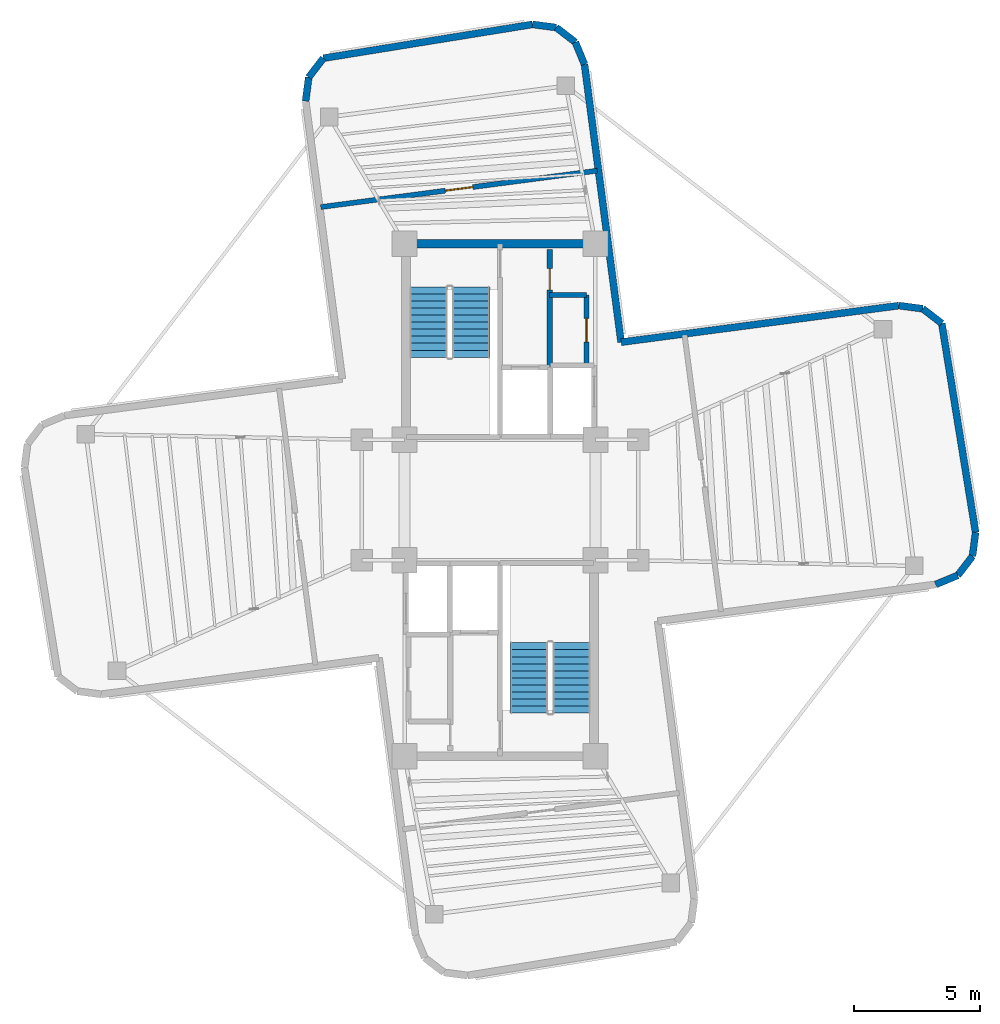
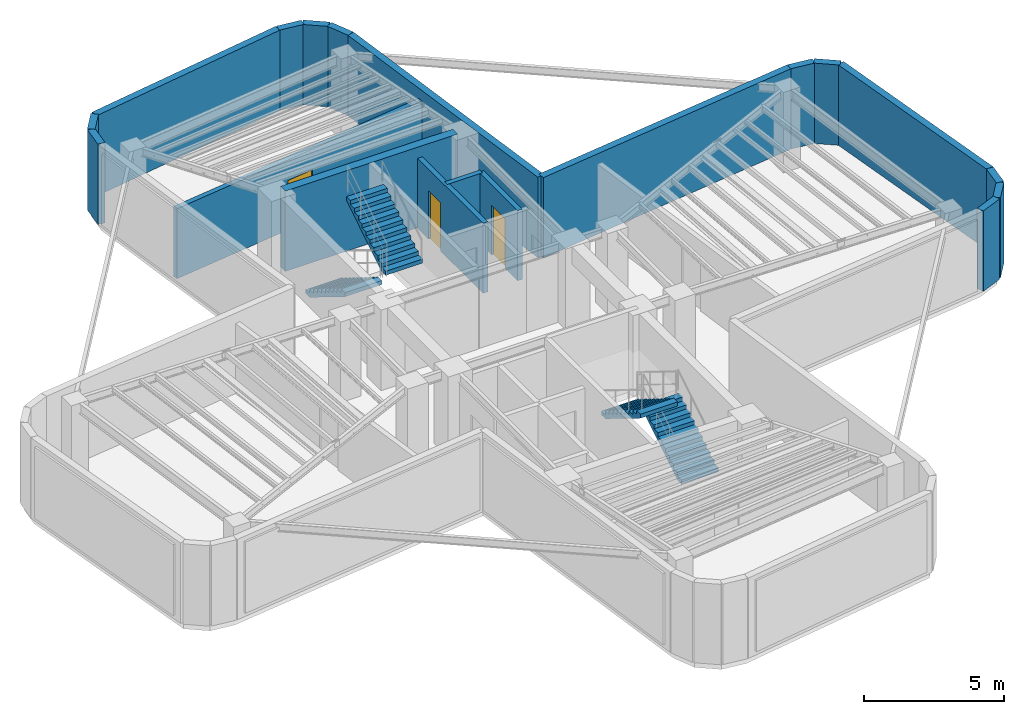
# One storey, part 5 of 6: 19 walls, 4 stair flights, 3 doors, 3 openings, 2 elements without a shape of their own.
"""IFC4 building model written with IfcOpenShell, lengths in metres."""

import ifcopenshell
import ifcopenshell.guid

model = None  # the IFC model being written
_history = None  # IfcOwnerHistory: only IFC2X3 demands one
_inside = {}  # id of a spatial element -> (the spatial element, [elements in it])
_under = {}  # id of a project, library or spatial element -> (it, [spatial elements below it])
_declared = {}  # id of a project -> (the project, [libraries it declares])
_typed = {}  # id of a type object -> (the type object, [elements of that type])
_made_of = {}  # id of a material, layer set ... -> (it, [elements and type objects made of it])


def new_model(schema):
    """Start an empty IFC model of exactly this schema.

    Asked for "IFC4X3", IfcOpenShell would pick the latest addendum, in which some entities
    have other attributes; the version numbers below select the first issue.
    IFC2X3 requires an IfcOwnerHistory on every rooted entity: one is made here for all.
    """
    global model, _history
    if schema == "IFC4X3":
        model = ifcopenshell.file(schema_version=(4, 3, 0, 0))
    else:
        model = ifcopenshell.file(schema=schema)
    _inside.clear()
    _under.clear()
    _declared.clear()
    _typed.clear()
    _made_of.clear()
    _history = None
    if model.schema == "IFC2X3":
        org = make("IfcOrganization", Name="unknown")
        user = make(
            "IfcPersonAndOrganization",
            ThePerson=make("IfcPerson", FamilyName="unknown"),
            TheOrganization=org,
        )
        app = make(
            "IfcApplication",
            ApplicationDeveloper=org,
            Version="unknown",
            ApplicationFullName="unknown",
            ApplicationIdentifier="unknown",
        )
        _history = make(
            "IfcOwnerHistory",
            OwningUser=user,
            OwningApplication=app,
            ChangeAction="ADDED",
            CreationDate=0,
        )
    return model


def make(cls, **values):
    """One entity of the class cls with the attributes given. An attribute that is None is left unset."""
    return model.create_entity(
        cls, **{name: value for name, value in values.items() if value is not None}
    )


def rooted(cls, **values):
    """An entity with a GlobalId (a new one), such as an element, a storey or a relation."""
    return make(cls, GlobalId=ifcopenshell.guid.new(), OwnerHistory=_history, **values)


def si_unit(unit_type, name, prefix=None):
    """IfcSIUnit, for example si_unit("LENGTHUNIT", "METRE", prefix="MILLI")."""
    return make("IfcSIUnit", UnitType=unit_type, Prefix=prefix, Name=name)


def assignment(units):
    """IfcUnitAssignment: the units of a project."""
    return None if units is None else make("IfcUnitAssignment", Units=units)


def point(xyz):
    """IfcCartesianPoint."""
    return None if xyz is None else make("IfcCartesianPoint", Coordinates=xyz)


def direction(xyz):
    """IfcDirection."""
    return None if xyz is None else make("IfcDirection", DirectionRatios=xyz)


def frame(location, z_axis=None, x_axis=None):
    """IfcAxis2Placement3D, a coordinate frame: its origin and axes. An axis left out is left unset."""
    return make(
        "IfcAxis2Placement3D",
        Location=point(location),
        Axis=direction(z_axis),
        RefDirection=direction(x_axis),
    )


def frame_2d(location, x_axis=None):
    """IfcAxis2Placement2D, a coordinate frame in the plane: its origin and x axis."""
    return make(
        "IfcAxis2Placement2D", Location=point(location), RefDirection=direction(x_axis)
    )


def origin():
    """The frame at (0, 0, 0) with its axes left unset."""
    return frame((0.0, 0.0, 0.0))


def origin_2d():
    """The frame at (0, 0) in the plane with its x axis left unset."""
    return frame_2d((0.0, 0.0))


def place(relative_to, where):
    """IfcLocalPlacement: puts the frame where relative to a parent placement (None: the world)."""
    return make(
        "IfcLocalPlacement", PlacementRelTo=relative_to, RelativePlacement=where
    )


def context(
    kind, dimensions, precision=None, world=None, true_north=None, identifier=None
):
    """IfcGeometricRepresentationContext, for example the 3D "Model" context."""
    return make(
        "IfcGeometricRepresentationContext",
        ContextIdentifier=identifier,
        ContextType=kind,
        CoordinateSpaceDimension=dimensions,
        Precision=precision,
        WorldCoordinateSystem=world,
        TrueNorth=true_north,
    )


def subcontext(parent, identifier, kind, view, scale=None):
    """IfcGeometricRepresentationSubContext, for example "Body" below "Model"."""
    return make(
        "IfcGeometricRepresentationSubContext",
        ContextIdentifier=identifier,
        ContextType=kind,
        ParentContext=parent,
        TargetScale=scale,
        TargetView=view,
    )


def project(units=None, contexts=None):
    """IfcProject with its units and contexts."""
    return rooted(
        "IfcProject",
        Name="project",
        RepresentationContexts=contexts,
        UnitsInContext=assignment(units),
    )


def spatial(cls, under=None, at=None, **own):
    """A site, building, storey or space (cls), placed at a placement, below another one or the project."""
    s = rooted(cls, ObjectPlacement=at, **own)
    if under is not None:
        _under.setdefault(under.id(), (under, []))[1].append(s)
    return s


def polyline(points):
    """IfcPolyline through the points."""
    return make("IfcPolyline", Points=[point(p) for p in points])


def profile(cls, at=None, kind="AREA", **sizes):
    """A parametric profile (cls). Its sizes go by their IFC names, for example OverallWidth=200.0."""
    return make(cls, ProfileType=kind, Position=at, **sizes)


def rectangle(**sizes):
    """IfcRectangleProfileDef."""
    return profile("IfcRectangleProfileDef", **sizes)


def outline(outer, holes=None, kind="AREA"):
    """IfcArbitraryClosedProfileDef: a profile drawn as a closed curve; with holes, ...WithVoids."""
    if holes is None:
        return make("IfcArbitraryClosedProfileDef", ProfileType=kind, OuterCurve=outer)
    return make(
        "IfcArbitraryProfileDefWithVoids",
        ProfileType=kind,
        OuterCurve=outer,
        InnerCurves=holes,
    )


def extrude(swept, where, along, depth):
    """IfcExtrudedAreaSolid: the profile swept, set in the frame where, extruded along a direction by depth."""
    return make(
        "IfcExtrudedAreaSolid",
        SweptArea=swept,
        Position=where,
        ExtrudedDirection=direction(along),
        Depth=depth,
    )


def shape(context_of_items, identifier, shape_type, items):
    """IfcShapeRepresentation: the items that make up one representation, for example the "Body"."""
    return make(
        "IfcShapeRepresentation",
        ContextOfItems=context_of_items,
        RepresentationIdentifier=identifier,
        RepresentationType=shape_type,
        Items=items,
    )


def source(mapping_origin, context_of_items, identifier, shape_type, items):
    """IfcRepresentationMap: a shape defined once, which mapped items show again and again."""
    return make(
        "IfcRepresentationMap",
        MappingOrigin=mapping_origin,
        MappedRepresentation=shape(context_of_items, identifier, shape_type, items),
    )


def transform(
    local_origin,
    x_axis=None,
    y_axis=None,
    z_axis=None,
    scale=None,
    scale2=None,
    scale3=None,
    uniform=True,
):
    """IfcCartesianTransformationOperator3D, or its non-uniform kind. x_axis, y_axis, z_axis: its Axis1, 2, 3."""
    if uniform:
        return make(
            "IfcCartesianTransformationOperator3D",
            Axis1=direction(x_axis),
            Axis2=direction(y_axis),
            LocalOrigin=point(local_origin),
            Scale=scale,
            Axis3=direction(z_axis),
        )
    return make(
        "IfcCartesianTransformationOperator3DnonUniform",
        Axis1=direction(x_axis),
        Axis2=direction(y_axis),
        LocalOrigin=point(local_origin),
        Scale=scale,
        Axis3=direction(z_axis),
        Scale2=scale2,
        Scale3=scale3,
    )


def mapped(mapping_source, mapping_target):
    """IfcMappedItem: shows the shape of a source again, moved by a transform."""
    return make(
        "IfcMappedItem", MappingSource=mapping_source, MappingTarget=mapping_target
    )


def material(Name=None, Category=None):
    """IfcMaterial."""
    return make("IfcMaterial", Name=Name, Category=Category)


def layer(
    of_material, thickness, ventilated=None, Name=None, Category=None, Priority=None
):
    """IfcMaterialLayer: one layer of a wall or slab, of a material (None: an air gap)."""
    return make(
        "IfcMaterialLayer",
        Material=of_material,
        LayerThickness=thickness,
        IsVentilated=ventilated,
        Name=Name,
        Category=Category,
        Priority=Priority,
    )


def layer_set(layers, Name=None):
    """IfcMaterialLayerSet."""
    return make("IfcMaterialLayerSet", MaterialLayers=layers, LayerSetName=Name)


def made_of(thing, what):
    """Note that an element or type object is made of a material, layer set ...; save() writes the relation."""
    if what is not None:
        _made_of.setdefault(what.id(), (what, []))[1].append(thing)
    return thing


def type_object(cls, material=None, **own):
    """A type object (cls), such as IfcWallType, which elements share."""
    return made_of(rooted(cls, **own), material)


def element(
    cls,
    number,
    at=None,
    inside=None,
    cuts=None,
    type_object=None,
    material=None,
    context=None,
    identifier="Body",
    shape_type=None,
    held_by="IfcProductDefinitionShape",
    body=None,
    shapes=None,
    **own,
):
    """One element of the class cls, such as IfcWall. Its Tag is "e" and its number.

    at: its placement. inside: the storey or other place that contains it. cuts: it is an
    opening in that element (IfcRelVoidsElement). A single representation is given by context,
    identifier, shape_type and body (its items); several are given by shapes. held_by: the class
    of the entity that holds the representations. save() writes the other relations.
    """
    e = rooted(cls, Tag="e%d" % number, ObjectPlacement=at, **own)
    if body is not None:
        shapes = [shape(context, identifier, shape_type, body)]
    if shapes is not None:
        e.Representation = make(held_by, Representations=shapes)
    if inside is not None:
        _inside.setdefault(inside.id(), (inside, []))[1].append(e)
    if cuts is not None:
        rooted(
            "IfcRelVoidsElement", RelatingBuildingElement=cuts, RelatedOpeningElement=e
        )
    if type_object is not None:
        _typed.setdefault(type_object.id(), (type_object, []))[1].append(e)
    return made_of(e, material)


def fill(opening, filler):
    """IfcRelFillsElement: the door or window that sits in an opening."""
    return rooted(
        "IfcRelFillsElement",
        RelatingOpeningElement=opening,
        RelatedBuildingElement=filler,
    )


def aggregate(whole, parts):
    """IfcRelAggregates: a whole, such as a stair, and the parts it consists of."""
    return rooted("IfcRelAggregates", RelatingObject=whole, RelatedObjects=parts)


def save(model, path):
    """Write the relations noted so far, then the file.

    IfcRelAggregates (storeys below a building ...), IfcRelContainedInSpatialStructure (elements
    in a storey), IfcRelDefinesByType, IfcRelAssociatesMaterial and IfcRelDeclares: one each for
    every whole, place, type object, material and project.
    """
    for whole, parts in _under.values():
        aggregate(whole, parts)
    for where, things in _inside.values():
        rooted(
            "IfcRelContainedInSpatialStructure",
            RelatedElements=things,
            RelatingStructure=where,
        )
    for kind, things in _typed.values():
        rooted("IfcRelDefinesByType", RelatedObjects=things, RelatingType=kind)
    for what, things in _made_of.values():
        rooted("IfcRelAssociatesMaterial", RelatedObjects=things, RelatingMaterial=what)
    for by, libraries in _declared.values():
        rooted("IfcRelDeclares", RelatingContext=by, RelatedDefinitions=libraries)
    model.write(path)


model = new_model("IFC4")

# Units and contexts
model_context = context("Model", 3, precision=1e-05, world=origin(), true_north=direction((0.0, 1.0)))
body_context = subcontext(model_context, "Body", "Model", "MODEL_VIEW")
ifc_project = project(units=[si_unit("LENGTHUNIT", "METRE"), si_unit("AREAUNIT", "SQUARE_METRE"), si_unit("VOLUMEUNIT", "CUBIC_METRE"), si_unit("PLANEANGLEUNIT", "RADIAN"), si_unit("MASSUNIT", "GRAM", prefix="KILO")], contexts=[model_context])

# Site, building, storey
site_placement = place(None, origin())
site = spatial("IfcSite", under=ifc_project, at=site_placement, CompositionType="ELEMENT")
building_placement = place(site_placement, origin())
building = spatial("IfcBuilding", under=site, at=building_placement, Name="Sahyath Konkavel Grand Hotel", CompositionType="ELEMENT")
storey_placement = place(building_placement, frame((0.0, 0.0, 285.10009765625)))
storey = spatial("IfcBuildingStorey", under=building, at=storey_placement, Name="L79", CompositionType="ELEMENT", Elevation=285.10009765625)

# Wall
ifc_material_1 = material(Name="Concrete C40/50", Category="concrete")
ifc_layer_1 = layer(ifc_material_1, 0.35009765625)
ifc_layer_set_1 = layer_set([ifc_layer_1], Name="Concrete C40/50")
wall_type_1 = type_object("IfcWallType", Name="CWALL-350", PredefinedType="SHEAR", material=ifc_layer_set_1)
wall_1_placement = place(storey_placement, frame((-3.550048828125, 10.199951171875, 0.0), z_axis=(0.0, 0.0, 1.0), x_axis=(1.0, 0.0, 0.0)))
element("IfcWall", 1, at=wall_1_placement, inside=storey, type_object=wall_type_1, Name="L79 North Core Shear Wall N", PredefinedType="SHEAR", context=body_context, shape_type="SweptSolid", body=[
    extrude(rectangle(XDim=7.10009765625, YDim=0.35009765625, at=frame_2d((3.550048828125, 0.0))), origin(), (0.0, 0.0, 1.0), 3.5),
])

# Wall, opening, door
ifc_layer_2 = layer(ifc_material_1, 0.199951171875)
ifc_layer_set_2 = layer_set([ifc_layer_2], Name="Concrete C40/50")
wall_type_2 = type_object("IfcWallType", Name="WLL-CORE-200", PredefinedType="SOLIDWALL", material=ifc_layer_set_2)
wall_2_placement = place(storey_placement, frame((1.97998046875, 5.320068359375, 0.0), z_axis=(0.0, 0.0, 1.0), x_axis=(0.0, 1.0, 0.0)))
wall_2 = element("IfcWall", 2, at=wall_2_placement, inside=storey, type_object=wall_type_2, Name="L79 North Firefighting Lobby Wall E", PredefinedType="SOLIDWALL", context=body_context, shape_type="SweptSolid", body=[
    extrude(rectangle(XDim=4.659912109375, YDim=0.199951171875, at=frame_2d((2.330078125, 0.0))), origin(), (0.0, 0.0, 1.0), 3.0498046875),
])
opening_1_placement = place(wall_2_placement, frame((3.0400390625, 0.0, 0.0)))
opening_1 = element("IfcOpeningElement", 3, at=opening_1_placement, cuts=wall_2, Name="Opening D-F12D", PredefinedType="OPENING", context=body_context, shape_type="SweptSolid", body=[
    extrude(rectangle(XDim=0.85009765625, YDim=2.10009765625, at=frame_2d((0.425048828125, 1.050048828125))), frame((0.0, 0.10986328125, 0.0), z_axis=(0.0, -1.0, 0.0), x_axis=(1.0, 0.0, 0.0)), (0.0, 0.0, 1.0), 0.219970703125),
])
ifc_material_2 = material(Name="Steel E350 Core Fire Door", Category="steel")
door_type_1 = type_object("IfcDoorType", Name="DR-FD120-850", OperationType="NOTDEFINED", PredefinedType="DOOR", material=ifc_material_2)
shared_shape_1 = source(origin(), body_context, "Body", "SweptSolid", [
    extrude(rectangle(XDim=0.85009765625, YDim=0.050048828125, at=origin_2d()), origin(), (0.0, 0.0, 1.0), 2.10009765625),
])
door_1_placement = place(opening_1_placement, frame((0.425048828125, 0.0, 0.0)))
door_1 = element("IfcDoor", 4, at=door_1_placement, inside=storey, type_object=door_type_1, Name="L79 North Firefighting Lobby Door", OperationType="SINGLE_SWING_LEFT", OverallHeight=2.10009765625, OverallWidth=0.85009765625, PredefinedType="DOOR", context=body_context, shape_type="MappedRepresentation", body=[
    mapped(shared_shape_1, transform((0.0, 0.0, 0.0), scale=1.0)),
])
fill(opening_1, door_1)

wall_3_placement = place(storey_placement, frame((3.43994140625, 5.3798828125, 0.0), z_axis=(0.0, 0.0, 1.0), x_axis=(0.0, 1.0, 0.0)))
wall_3 = element("IfcWall", 5, at=wall_3_placement, inside=storey, type_object=wall_type_2, Name="L79 Reclaimed North Core Wall E", PredefinedType="SOLIDWALL", context=body_context, shape_type="SweptSolid", body=[
    extrude(rectangle(XDim=2.77001953125, YDim=0.199951171875, at=frame_2d((1.385009765625, 0.0))), origin(), (0.0, 0.0, 1.0), 3.0498046875),
])
opening_2_placement = place(wall_3_placement, frame((0.89990234375, 0.0, 0.0)))
opening_2 = element("IfcOpeningElement", 6, at=opening_2_placement, cuts=wall_3, Name="Opening D-F06B", PredefinedType="OPENING", context=body_context, shape_type="SweptSolid", body=[
    extrude(rectangle(XDim=0.949951171875, YDim=2.14990234375, at=frame_2d((0.47509765625, 1.074951171875))), frame((0.0, 0.10986328125, 0.0), z_axis=(0.0, -1.0, 0.0), x_axis=(1.0, 0.0, 0.0)), (0.0, 0.0, 1.0), 0.219970703125),
])
ifc_material_3 = material(Name="Teak Veneer Fire-Rated Guest Entrance Door")
door_type_2 = type_object("IfcDoorType", Name="DR-FD60-950", OperationType="NOTDEFINED", PredefinedType="DOOR", material=ifc_material_3)
shared_shape_2 = source(origin(), body_context, "Body", "SweptSolid", [
    extrude(rectangle(XDim=0.949951171875, YDim=0.050048828125, at=origin_2d()), origin(), (0.0, 0.0, 1.0), 2.14990234375),
])
door_2_placement = place(opening_2_placement, frame((0.47509765625, 0.0, 0.0)))
door_2 = element("IfcDoor", 7, at=door_2_placement, inside=storey, type_object=door_type_2, Name="L79 Door NC-REC1-D", OperationType="SINGLE_SWING_LEFT", OverallHeight=2.14990234375, OverallWidth=0.949951171875, PredefinedType="DOOR", context=body_context, shape_type="MappedRepresentation", body=[
    mapped(shared_shape_2, transform((0.0, 0.0, 0.0), scale=1.0)),
])
fill(opening_2, door_2)

# Wall
wall_4_placement = place(storey_placement, frame((1.97998046875, 8.14990234375, 0.0), z_axis=(0.0, 0.0, 1.0), x_axis=(1.0, 0.0, 0.0)))
element("IfcWall", 8, at=wall_4_placement, inside=storey, type_object=wall_type_2, Name="L79 Partition NC-REC-N", PredefinedType="SOLIDWALL", context=body_context, shape_type="SweptSolid", body=[
    extrude(rectangle(XDim=1.4599609375, YDim=0.199951171875, at=frame_2d((0.72998046875, 0.0))), origin(), (0.0, 0.0, 1.0), 3.0498046875),
])

# Wall, opening, door
wall_5_placement = place(storey_placement, frame((3.872314453125, 13.107666015625, 0.0), z_axis=(0.0, 0.0, 1.0), x_axis=(-0.991443437127, -0.130537009991, 0.0)))
wall_5 = element("IfcWall", 9, at=wall_5_placement, inside=storey, type_object=wall_type_2, Name="L79 Partition CP-LMR-IN", PredefinedType="SOLIDWALL", context=body_context, shape_type="SweptSolid", body=[
    extrude(rectangle(XDim=11.10009765625, YDim=0.199951171875, at=frame_2d((5.550048828125, 0.0))), origin(), (0.0, 0.0, 1.0), 3.0498046875),
])
opening_3_placement = place(wall_5_placement, frame((5.0, 0.0, 0.0)))
opening_3 = element("IfcOpeningElement", 10, at=opening_3_placement, cuts=wall_5, Name="Opening D-F12B", PredefinedType="OPENING", context=body_context, shape_type="SweptSolid", body=[
    extrude(rectangle(XDim=1.10009765625, YDim=2.14990234375, at=frame_2d((0.550048828125, 1.074951171875))), frame((0.0, 0.10986328125, 0.0), z_axis=(0.0, -1.0, 0.0), x_axis=(1.0, 0.0, 0.0)), (0.0, 0.0, 1.0), 0.219970703125),
])
ifc_material_4 = material(Name="Steel E350 Smokeproof Fire Door", Category="steel")
door_type_3 = type_object("IfcDoorType", Name="DR-FD120-1100", OperationType="NOTDEFINED", PredefinedType="DOOR", material=ifc_material_4)
shared_shape_3 = source(origin(), body_context, "Body", "SweptSolid", [
    extrude(rectangle(XDim=1.10009765625, YDim=0.050048828125, at=origin_2d()), origin(), (0.0, 0.0, 1.0), 2.14990234375),
])
door_3_placement = place(opening_3_placement, frame((0.550048828125, 0.0, 0.0)))
door_3 = element("IfcDoor", 11, at=door_3_placement, inside=storey, type_object=door_type_3, Name="L79 Door CP-LMR-D", OperationType="SINGLE_SWING_LEFT", OverallHeight=2.14990234375, OverallWidth=1.10009765625, PredefinedType="DOOR", context=body_context, shape_type="MappedRepresentation", body=[
    mapped(shared_shape_3, transform((0.0, 0.0, 0.0), scale=1.0)),
])
fill(opening_3, door_3)

# Walls
ifc_material_5 = material(Name="Warm Buff Sandstone Insulated Concrete C40/50", Category="masonry")
ifc_layer_3 = layer(ifc_material_5, 0.280029296875)
ifc_layer_set_3 = layer_set([ifc_layer_3], Name="Warm Buff Sandstone Insulated Concrete C40/50")
wall_type_3 = type_object("IfcWallType", Name="WLL-CROWN-CLAD", PredefinedType="SOLIDWALL", material=ifc_layer_set_3)
for number, where, z_axis, x_axis, name in (
    (12, (17.337646484375, -3.36572265625, 0.0), (0.0, 0.0, 1.0), (0.923889442397, 0.382659506909, 0.0), "L79 Crown Sandstone & Acoustic Louvre Wall 1"),
    (13, (18.222412109375, -2.999267578125, 0.0), (0.0, 0.0, 1.0), (0.608774010809, 0.793343685778, 0.0), "L79 Crown Sandstone & Acoustic Louvre Wall 2"),
    (14, (18.805419921875, -2.239501953125, 0.0), (0.0, 0.0, 1.0), (0.130527053476, 0.991444747987, 0.0), "L79 Crown Sandstone & Acoustic Louvre Wall 3"),
):
    element("IfcWall", number, at=place(storey_placement, frame(where, z_axis=z_axis, x_axis=x_axis)), inside=storey, type_object=wall_type_3, Name=name, PredefinedType="SOLIDWALL", context=body_context, shape_type="SweptSolid", body=[
        extrude(rectangle(XDim=0.957763671875, YDim=0.280029296875, at=frame_2d((0.47900390625, 0.0))), origin(), (0.0, 0.0, 1.0), 3.5),
    ])
wall_6_placement = place(storey_placement, frame((18.930419921875, -1.2900390625, 0.0), z_axis=(0.0, 0.0, 1.0), x_axis=(-0.159629483961, 0.987176999251, 0.0)))
element("IfcWall", 15, at=wall_6_placement, inside=storey, type_object=wall_type_3, Name="L79 Crown Sandstone & Acoustic Louvre Wall 4", PredefinedType="SOLIDWALL", context=body_context, shape_type="SweptSolid", body=[
    extrude(rectangle(XDim=8.4287109375, YDim=0.280029296875, at=frame_2d((4.21435546875, 0.0))), origin(), (0.0, 0.0, 1.0), 3.5),
])
wall_7_placement = place(storey_placement, frame((17.5849609375, 7.030517578125, 0.0), z_axis=(0.0, 0.0, 1.0), x_axis=(-0.793466811674, 0.60861352168, 0.0)))
element("IfcWall", 16, at=wall_7_placement, inside=storey, type_object=wall_type_3, Name="L79 Crown Sandstone & Acoustic Louvre Wall 5", PredefinedType="SOLIDWALL", context=body_context, shape_type="SweptSolid", body=[
    extrude(rectangle(XDim=0.95751953125, YDim=0.280029296875, at=frame_2d((0.478759765625, 0.0))), origin(), (0.0, 0.0, 1.0), 3.5),
])
wall_8_placement = place(storey_placement, frame((16.8251953125, 7.61328125, 0.0), z_axis=(0.0, 0.0, 1.0), x_axis=(-0.991444747987, 0.130527053476, 0.0)))
element("IfcWall", 17, at=wall_8_placement, inside=storey, type_object=wall_type_3, Name="L79 Crown Sandstone & Acoustic Louvre Wall 6", PredefinedType="SOLIDWALL", context=body_context, shape_type="SweptSolid", body=[
    extrude(rectangle(XDim=0.957763671875, YDim=0.280029296875, at=frame_2d((0.47900390625, 0.0))), origin(), (0.0, 0.0, 1.0), 3.5),
])
for number, where, z_axis, x_axis, name in (
    (18, (15.875732421875, 7.73828125, 0.0), (0.0, 0.0, 1.0), (-0.991445499165, -0.130521347626, 0.0), "L79 Crown Sandstone & Acoustic Louvre Wall 7"),
    (19, (4.821044921875, 6.282958984375, 0.0), (0.0, 0.0, 1.0), (-0.130521347626, 0.991445499165, 0.0), "L79 Crown Sandstone & Acoustic Louvre Wall 8"),
):
    element("IfcWall", number, at=place(storey_placement, frame(where, z_axis=z_axis, x_axis=x_axis)), inside=storey, type_object=wall_type_3, Name=name, PredefinedType="SOLIDWALL", context=body_context, shape_type="SweptSolid", body=[
        extrude(rectangle(XDim=11.150146484375, YDim=0.280029296875, at=frame_2d((5.5751953125, 0.0))), origin(), (0.0, 0.0, 1.0), 3.5),
    ])
for number, where, z_axis, x_axis, name in (
    (20, (3.36572265625, 17.337646484375, 0.0), (0.0, 0.0, 1.0), (-0.382659506909, 0.923889442397, 0.0), "L79 Crown Sandstone & Acoustic Louvre Wall 9"),
    (21, (2.999267578125, 18.222412109375, 0.0), (0.0, 0.0, 1.0), (-0.793343685778, 0.608774010809, 0.0), "L79 Crown Sandstone & Acoustic Louvre Wall 10"),
    (22, (2.239501953125, 18.805419921875, 0.0), (0.0, 0.0, 1.0), (-0.991444747987, 0.130527053476, 0.0), "L79 Crown Sandstone & Acoustic Louvre Wall 11"),
):
    element("IfcWall", number, at=place(storey_placement, frame(where, z_axis=z_axis, x_axis=x_axis)), inside=storey, type_object=wall_type_3, Name=name, PredefinedType="SOLIDWALL", context=body_context, shape_type="SweptSolid", body=[
        extrude(rectangle(XDim=0.957763671875, YDim=0.280029296875, at=frame_2d((0.47900390625, 0.0))), origin(), (0.0, 0.0, 1.0), 3.5),
    ])
wall_9_placement = place(storey_placement, frame((1.2900390625, 18.930419921875, 0.0), z_axis=(0.0, 0.0, 1.0), x_axis=(-0.987176999251, -0.159629483961, 0.0)))
element("IfcWall", 23, at=wall_9_placement, inside=storey, type_object=wall_type_3, Name="L79 Crown Sandstone & Acoustic Louvre Wall 12", PredefinedType="SOLIDWALL", context=body_context, shape_type="SweptSolid", body=[
    extrude(rectangle(XDim=8.4287109375, YDim=0.280029296875, at=frame_2d((4.21435546875, 0.0))), origin(), (0.0, 0.0, 1.0), 3.5),
])
wall_10_placement = place(storey_placement, frame((-7.030517578125, 17.5849609375, 0.0), z_axis=(0.0, 0.0, 1.0), x_axis=(-0.60861352168, -0.793466811674, 0.0)))
element("IfcWall", 24, at=wall_10_placement, inside=storey, type_object=wall_type_3, Name="L79 Crown Sandstone & Acoustic Louvre Wall 13", PredefinedType="SOLIDWALL", context=body_context, shape_type="SweptSolid", body=[
    extrude(rectangle(XDim=0.95751953125, YDim=0.280029296875, at=frame_2d((0.478759765625, 0.0))), origin(), (0.0, 0.0, 1.0), 3.5),
])
wall_11_placement = place(storey_placement, frame((-7.61328125, 16.8251953125, 0.0), z_axis=(0.0, 0.0, 1.0), x_axis=(-0.130527053476, -0.991444747987, 0.0)))
element("IfcWall", 25, at=wall_11_placement, inside=storey, type_object=wall_type_3, Name="L79 Crown Sandstone & Acoustic Louvre Wall 14", PredefinedType="SOLIDWALL", context=body_context, shape_type="SweptSolid", body=[
    extrude(rectangle(XDim=0.957763671875, YDim=0.280029296875, at=frame_2d((0.47900390625, 0.0))), origin(), (0.0, 0.0, 1.0), 3.5),
])

# Stair, stair flights
stair_type = type_object("IfcStairType", Name="STR-ST16-380", PredefinedType="HALF_TURN_STAIR", material=ifc_material_1)
stair_1_placement = place(storey_placement, origin())
stair_1 = element("IfcStair", 26, at=stair_1_placement, inside=storey, type_object=stair_type, Name="L79 North Core Smokeproof Exit Stair ST-1", PredefinedType="HALF_TURN_STAIR")
stair_flight_type = type_object("IfcStairFlightType", Name="STF-ST16-380", PredefinedType="STRAIGHT", material=ifc_material_1)
stair_flight_1_placement = place(storey_placement, frame((-2.840087890625, 8.47998046875, 0.0), z_axis=(0.0, 0.0, 1.0), x_axis=(0.0, -1.0, 0.0)))
stair_flight_1 = element("IfcStairFlight", 27, at=stair_flight_1_placement, type_object=stair_flight_type, Name="ST-1 flight 1", NumberOfRisers=11, NumberOfTreads=10, PredefinedType="STRAIGHT", RiserHeight=0.172727273, TreadLength=0.28, context=body_context, shape_type="SweptSolid", body=[
    extrude(outline(polyline([(0.0, 0.0), (0.0, 0.172607421875), (0.280029296875, 0.172607421875), (0.280029296875, 0.345458984375), (0.56005859375, 0.345458984375), (0.56005859375, 0.51806640625), (0.840087890625, 0.51806640625), (0.840087890625, 0.69091796875), (1.1201171875, 0.69091796875), (1.1201171875, 0.863525390625), (1.39990234375, 0.863525390625), (1.39990234375, 1.036376953125), (1.679931640625, 1.036376953125), (1.679931640625, 1.208984375), (1.9599609375, 1.208984375), (1.9599609375, 1.3818359375), (2.239990234375, 1.3818359375), (2.239990234375, 1.554443359375), (2.52001953125, 1.554443359375), (2.52001953125, 1.727294921875), (2.800048828125, 1.727294921875), (2.800048828125, 1.89990234375), (2.800048828125, 1.551025390625), (0.285400390625, 0.0), (0.0, 0.0)])), frame((0.0, 0.760009765625, 0.0), z_axis=(0.0, -1.0, 0.0), x_axis=(1.0, 0.0, 0.0)), (0.0, 0.0, 1.0), 1.52001953125),
])
stair_flight_2_placement = place(storey_placement, frame((-1.159912109375, 5.679931640625, 1.89990234375), z_axis=(0.0, 0.0, 1.0), x_axis=(0.0, 1.0, 0.0)))
stair_flight_2 = element("IfcStairFlight", 28, at=stair_flight_2_placement, type_object=stair_flight_type, Name="ST-1 flight 2", NumberOfRisers=11, NumberOfTreads=10, PredefinedType="STRAIGHT", RiserHeight=0.172727273, TreadLength=0.28, context=body_context, shape_type="SweptSolid", body=[
    extrude(outline(polyline([(0.0, 0.0), (0.0, 0.172607421875), (0.280029296875, 0.172607421875), (0.280029296875, 0.345458984375), (0.56005859375, 0.345458984375), (0.56005859375, 0.51806640625), (0.840087890625, 0.51806640625), (0.840087890625, 0.69091796875), (1.1201171875, 0.69091796875), (1.1201171875, 0.863525390625), (1.39990234375, 0.863525390625), (1.39990234375, 1.036376953125), (1.679931640625, 1.036376953125), (1.679931640625, 1.208984375), (1.9599609375, 1.208984375), (1.9599609375, 1.3818359375), (2.239990234375, 1.3818359375), (2.239990234375, 1.554443359375), (2.52001953125, 1.554443359375), (2.52001953125, 1.727294921875), (2.800048828125, 1.727294921875), (2.800048828125, 1.89990234375), (2.800048828125, 1.551025390625), (0.285400390625, 0.0), (0.0, 0.0)])), frame((0.0, 0.760009765625, 0.0), z_axis=(0.0, -1.0, 0.0), x_axis=(1.0, 0.0, 0.0)), (0.0, 0.0, 1.0), 1.52001953125),
])
aggregate(stair_1, [stair_flight_1, stair_flight_2])

stair_2_placement = place(storey_placement, origin())
stair_2 = element("IfcStair", 29, at=stair_2_placement, inside=storey, type_object=stair_type, Name="L79 South Core Smokeproof Exit Stair ST-2", PredefinedType="HALF_TURN_STAIR")
stair_flight_3_placement = place(storey_placement, frame((2.840087890625, -8.47998046875, 0.0), z_axis=(0.0, 0.0, 1.0), x_axis=(0.0, 1.0, 0.0)))
stair_flight_3 = element("IfcStairFlight", 30, at=stair_flight_3_placement, type_object=stair_flight_type, Name="ST-2 flight 1", NumberOfRisers=11, NumberOfTreads=10, PredefinedType="STRAIGHT", RiserHeight=0.172727273, TreadLength=0.28, context=body_context, shape_type="SweptSolid", body=[
    extrude(outline(polyline([(0.0, 0.0), (0.0, 0.172607421875), (0.280029296875, 0.172607421875), (0.280029296875, 0.345458984375), (0.56005859375, 0.345458984375), (0.56005859375, 0.51806640625), (0.840087890625, 0.51806640625), (0.840087890625, 0.69091796875), (1.1201171875, 0.69091796875), (1.1201171875, 0.863525390625), (1.39990234375, 0.863525390625), (1.39990234375, 1.036376953125), (1.679931640625, 1.036376953125), (1.679931640625, 1.208984375), (1.9599609375, 1.208984375), (1.9599609375, 1.3818359375), (2.239990234375, 1.3818359375), (2.239990234375, 1.554443359375), (2.52001953125, 1.554443359375), (2.52001953125, 1.727294921875), (2.800048828125, 1.727294921875), (2.800048828125, 1.89990234375), (2.800048828125, 1.551025390625), (0.285400390625, 0.0), (0.0, 0.0)])), frame((0.0, 0.760009765625, 0.0), z_axis=(0.0, -1.0, 0.0), x_axis=(1.0, 0.0, 0.0)), (0.0, 0.0, 1.0), 1.52001953125),
])
stair_flight_4_placement = place(storey_placement, frame((1.159912109375, -5.679931640625, 1.89990234375), z_axis=(0.0, 0.0, 1.0), x_axis=(0.0, -1.0, 0.0)))
stair_flight_4 = element("IfcStairFlight", 31, at=stair_flight_4_placement, type_object=stair_flight_type, Name="ST-2 flight 2", NumberOfRisers=11, NumberOfTreads=10, PredefinedType="STRAIGHT", RiserHeight=0.172727273, TreadLength=0.28, context=body_context, shape_type="SweptSolid", body=[
    extrude(outline(polyline([(0.0, 0.0), (0.0, 0.172607421875), (0.280029296875, 0.172607421875), (0.280029296875, 0.345458984375), (0.56005859375, 0.345458984375), (0.56005859375, 0.51806640625), (0.840087890625, 0.51806640625), (0.840087890625, 0.69091796875), (1.1201171875, 0.69091796875), (1.1201171875, 0.863525390625), (1.39990234375, 0.863525390625), (1.39990234375, 1.036376953125), (1.679931640625, 1.036376953125), (1.679931640625, 1.208984375), (1.9599609375, 1.208984375), (1.9599609375, 1.3818359375), (2.239990234375, 1.3818359375), (2.239990234375, 1.554443359375), (2.52001953125, 1.554443359375), (2.52001953125, 1.727294921875), (2.800048828125, 1.727294921875), (2.800048828125, 1.89990234375), (2.800048828125, 1.551025390625), (0.285400390625, 0.0), (0.0, 0.0)])), frame((0.0, 0.760009765625, 0.0), z_axis=(0.0, -1.0, 0.0), x_axis=(1.0, 0.0, 0.0)), (0.0, 0.0, 1.0), 1.52001953125),
])
aggregate(stair_2, [stair_flight_3, stair_flight_4])

save(model, "model.ifc")
